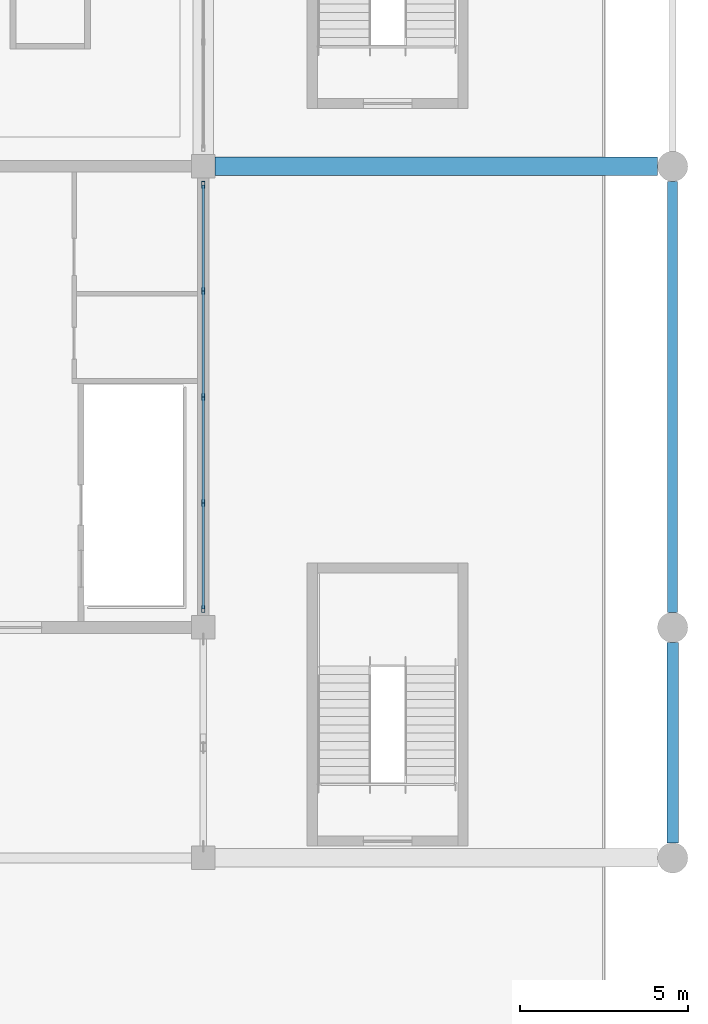
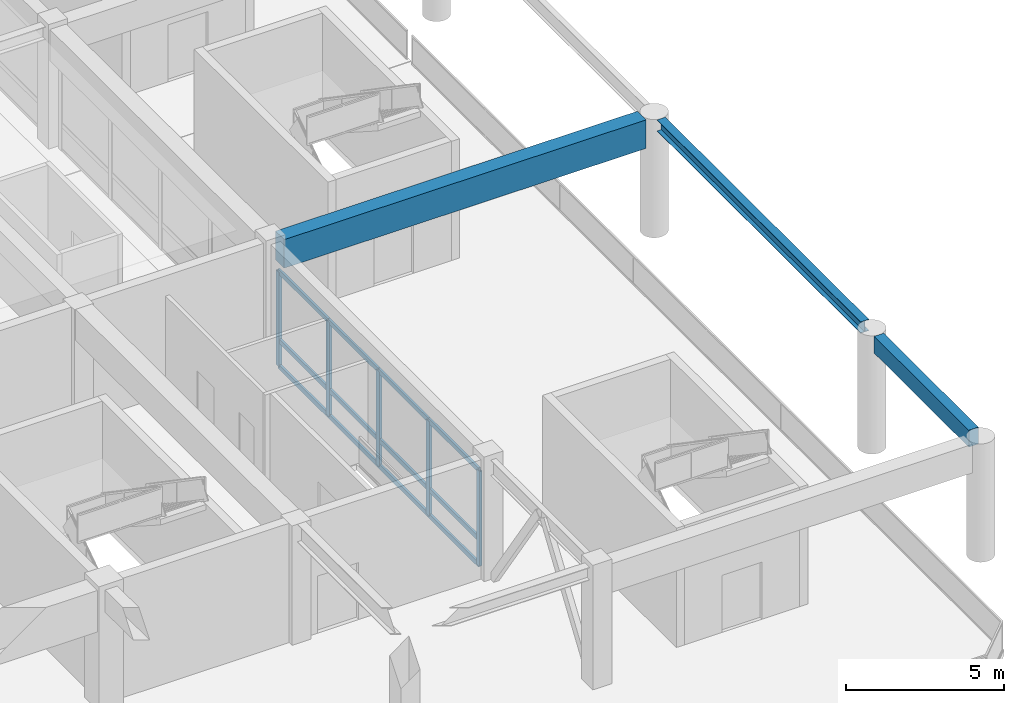
# One storey, part 33 of 94: 17 members, 3 beams, 1 element without a shape of its own.
"""IFC4 building model written with IfcOpenShell, lengths in metres."""

from ifc_helpers import new_model, si_unit, direction, frame, origin, origin_2d, place, context, subcontext, project, spatial, rectangle, hollow_rectangle, i_section, extrude, material, material_profile, profile_set, type_object, element, aggregate, save


model = new_model("IFC4")

# Units and contexts
model_context = context("Model", 3, precision=1e-05, world=origin(), true_north=direction((0.0, 1.0)))
body_context = subcontext(model_context, "Body", "Model", "MODEL_VIEW")
ifc_project = project(units=[si_unit("LENGTHUNIT", "METRE"), si_unit("AREAUNIT", "SQUARE_METRE"), si_unit("VOLUMEUNIT", "CUBIC_METRE"), si_unit("PLANEANGLEUNIT", "RADIAN"), si_unit("MASSUNIT", "GRAM", prefix="KILO")], contexts=[model_context])

# Site, building, storey
site_placement = place(None, origin())
site = spatial("IfcSite", under=ifc_project, at=site_placement, CompositionType="ELEMENT")
building_placement = place(site_placement, origin())
building = spatial("IfcBuilding", under=site, at=building_placement, Name="Linyun Crest Stadium", CompositionType="ELEMENT")
storey_placement = place(building_placement, frame((0.0, 0.0, 16.199951171875)))
storey = spatial("IfcBuildingStorey", under=building, at=storey_placement, Name="L04", CompositionType="ELEMENT", Elevation=16.199951171875)

# Beams
ifc_material_1 = material(Name="Concrete C40", Category="concrete")
ifc_material_profile_1 = material_profile(ifc_material_1, rectangle(XDim=0.35009765625, YDim=0.64990234375, at=origin_2d()), Name="RCB 650x350")
ifc_profile_set_1 = profile_set([ifc_material_profile_1], Name="Concrete C40")
beam_type_1 = type_object("IfcBeamType", Name="B02", PredefinedType="BEAM", material=ifc_profile_set_1)
beam_1_placement = place(storey_placement, frame((98.0, -45.550048828125, 4.235107421875), z_axis=(0.0, 1.0, 0.0), x_axis=(-1.0, 0.0, 0.0)))
element("IfcBeam", 1, at=beam_1_placement, inside=storey, type_object=beam_type_1, Name="Frame beam B02 L04 721", PredefinedType="BEAM", context=body_context, shape_type="SweptSolid", body=[
    extrude(rectangle(XDim=0.35009765625, YDim=0.64990234375, at=origin_2d()), origin(), (0.0, 0.0, 1.0), 5.97509765625),
])
ifc_material_2 = material(Name="Steel Q355C", Category="steel")
ifc_material_profile_2 = material_profile(ifc_material_2, i_section(OverallWidth=0.300048828125, OverallDepth=0.43994140625, WebThickness=0.010986328125, FlangeThickness=0.01806640625, at=origin_2d()), Name="HM 440x300")
ifc_profile_set_2 = profile_set([ifc_material_profile_2], Name="Steel Q355C")
beam_type_2 = type_object("IfcBeamType", Name="B07", PredefinedType="BEAM", material=ifc_profile_set_2)
beam_2_placement = place(storey_placement, frame((98.0, -38.675048828125, 4.340087890625), z_axis=(0.0, 1.0, 0.0), x_axis=(-1.0, 0.0, 0.0)))
element("IfcBeam", 2, at=beam_2_placement, inside=storey, type_object=beam_type_2, Name="Frame beam B07 L04 722", PredefinedType="BEAM", context=body_context, shape_type="SweptSolid", body=[
    extrude(i_section(OverallWidth=0.300048828125, OverallDepth=0.43994140625, WebThickness=0.010986328125, FlangeThickness=0.01806640625, at=origin_2d()), origin(), (0.0, 0.0, 1.0), 12.85009765625),
])

# Curtain wall, members
ifc_material_3 = material(Name="Verdigris steel and low-E curtain wall assembly", Category="steel")
curtain_wall_type = type_object("IfcCurtainWallType", Name="MCW06", PredefinedType="NOTDEFINED", material=ifc_material_3)
curtain_wall_placement = place(storey_placement, origin())
curtain_wall = element("IfcCurtainWall", 3, at=curtain_wall_placement, inside=storey, type_object=curtain_wall_type, Name="CWR-080", PredefinedType="NOTDEFINED")
ifc_material_4 = material(Name="Verdigris painted steel Q355C mullion", Category="steel")
ifc_material_profile_3 = material_profile(ifc_material_4, hollow_rectangle(XDim=0.10009765625, YDim=0.199951171875, WallThickness=0.008056640625, at=origin_2d()), Name="RHS 200x100x8")
ifc_profile_set_3 = profile_set([ifc_material_profile_3], Name="Verdigris painted steel Q355C mullion")
member_type_1 = type_object("IfcMemberType", Name="ML03", PredefinedType="MULLION", material=ifc_profile_set_3)
member_1_placement = place(storey_placement, frame((84.0, -38.574951171875, 0.0), z_axis=(0.0, 0.0, 1.0), x_axis=(-1.0, 0.0, 0.0)))
member_1 = element("IfcMember", 4, at=member_1_placement, type_object=member_type_1, Name="CWR-080 mullion 1", PredefinedType="MULLION", context=body_context, shape_type="SweptSolid", body=[
    extrude(hollow_rectangle(XDim=0.10009765625, YDim=0.199951171875, WallThickness=0.008056640625, at=origin_2d()), origin(), (0.0, 0.0, 1.0), 3.650146484375),
])
member_2_placement = place(storey_placement, frame((84.0, -35.412109375, 0.0), z_axis=(0.0, 0.0, 1.0), x_axis=(-1.0, 0.0, 0.0)))
member_2 = element("IfcMember", 5, at=member_2_placement, type_object=member_type_1, Name="CWR-080 mullion 2", PredefinedType="MULLION", context=body_context, shape_type="SweptSolid", body=[
    extrude(hollow_rectangle(XDim=0.10009765625, YDim=0.199951171875, WallThickness=0.008056640625, at=origin_2d()), origin(), (0.0, 0.0, 1.0), 3.650146484375),
])
member_3_placement = place(storey_placement, frame((84.0, -32.25, 0.0), z_axis=(0.0, 0.0, 1.0), x_axis=(-1.0, 0.0, 0.0)))
member_3 = element("IfcMember", 6, at=member_3_placement, type_object=member_type_1, Name="CWR-080 mullion 3", PredefinedType="MULLION", context=body_context, shape_type="SweptSolid", body=[
    extrude(hollow_rectangle(XDim=0.10009765625, YDim=0.199951171875, WallThickness=0.008056640625, at=origin_2d()), origin(), (0.0, 0.0, 1.0), 3.650146484375),
])
member_4_placement = place(storey_placement, frame((84.0, -29.087890625, 0.0), z_axis=(0.0, 0.0, 1.0), x_axis=(-1.0, 0.0, 0.0)))
member_4 = element("IfcMember", 7, at=member_4_placement, type_object=member_type_1, Name="CWR-080 mullion 4", PredefinedType="MULLION", context=body_context, shape_type="SweptSolid", body=[
    extrude(hollow_rectangle(XDim=0.10009765625, YDim=0.199951171875, WallThickness=0.008056640625, at=origin_2d()), origin(), (0.0, 0.0, 1.0), 3.650146484375),
])
member_5_placement = place(storey_placement, frame((84.0, -25.925048828125, 0.0), z_axis=(0.0, 0.0, 1.0), x_axis=(-1.0, 0.0, 0.0)))
member_5 = element("IfcMember", 8, at=member_5_placement, type_object=member_type_1, Name="CWR-080 mullion 5", PredefinedType="MULLION", context=body_context, shape_type="SweptSolid", body=[
    extrude(hollow_rectangle(XDim=0.10009765625, YDim=0.199951171875, WallThickness=0.008056640625, at=origin_2d()), origin(), (0.0, 0.0, 1.0), 3.650146484375),
])

# Beam
ifc_material_5 = material(Name="Concrete C50", Category="concrete")
ifc_material_profile_4 = material_profile(ifc_material_5, rectangle(XDim=0.550048828125, YDim=1.10009765625, at=origin_2d()), Name="RCB 1100x550")
ifc_profile_set_4 = profile_set([ifc_material_profile_4], Name="Concrete C50")
beam_type_3 = type_object("IfcBeamType", Name="TB01", PredefinedType="USERDEFINED", material=ifc_profile_set_4)
beam_3_placement = place(storey_placement, frame((84.35009765625, -25.375, 4.010009765625), z_axis=(1.0, 0.0, 0.0), x_axis=(0.0, 1.0, 0.0)))
element("IfcBeam", 9, at=beam_3_placement, inside=storey, type_object=beam_type_3, Name="Frame beam TB01 L04 684", ObjectType="GIRDER", PredefinedType="USERDEFINED", context=body_context, shape_type="SweptSolid", body=[
    extrude(rectangle(XDim=0.550048828125, YDim=1.10009765625, at=origin_2d()), origin(), (0.0, 0.0, 1.0), 13.199951171875),
])

# Member
ifc_material_6 = material(Name="Verdigris painted steel Q355B transom", Category="steel")
ifc_material_profile_5 = material_profile(ifc_material_6, hollow_rectangle(XDim=0.080078125, YDim=0.179931640625, WallThickness=0.006103515625, at=origin_2d()), Name="RHS 180x80x6")
ifc_profile_set_5 = profile_set([ifc_material_profile_5], Name="Verdigris painted steel Q355B transom")
member_type_2 = type_object("IfcMemberType", Name="TR02", PredefinedType="USERDEFINED", material=ifc_profile_set_5)
member_6_placement = place(storey_placement, frame((84.0, -38.574951171875, 0.0), z_axis=(0.0, 1.0, 0.0), x_axis=(-1.0, 0.0, 0.0)))
member_6 = element("IfcMember", 10, at=member_6_placement, type_object=member_type_2, Name="CWR-080 transom 1.1", ObjectType="TRANSOM", PredefinedType="USERDEFINED", context=body_context, shape_type="SweptSolid", body=[
    extrude(hollow_rectangle(XDim=0.080078125, YDim=0.179931640625, WallThickness=0.006103515625, at=origin_2d()), origin(), (0.0, 0.0, 1.0), 3.162841796875),
])

member_7_placement = place(storey_placement, frame((84.0, -38.574951171875, 1.0), z_axis=(0.0, 1.0, 0.0), x_axis=(-1.0, 0.0, 0.0)))
member_7 = element("IfcMember", 11, at=member_7_placement, type_object=member_type_2, Name="CWR-080 transom 1.2", ObjectType="TRANSOM", PredefinedType="USERDEFINED", context=body_context, shape_type="SweptSolid", body=[
    extrude(hollow_rectangle(XDim=0.080078125, YDim=0.179931640625, WallThickness=0.006103515625, at=origin_2d()), origin(), (0.0, 0.0, 1.0), 3.162841796875),
])

member_8_placement = place(storey_placement, frame((84.0, -38.574951171875, 3.650146484375), z_axis=(0.0, 1.0, 0.0), x_axis=(-1.0, 0.0, 0.0)))
member_8 = element("IfcMember", 12, at=member_8_placement, type_object=member_type_2, Name="CWR-080 transom 1.3", ObjectType="TRANSOM", PredefinedType="USERDEFINED", context=body_context, shape_type="SweptSolid", body=[
    extrude(hollow_rectangle(XDim=0.080078125, YDim=0.179931640625, WallThickness=0.006103515625, at=origin_2d()), origin(), (0.0, 0.0, 1.0), 3.162841796875),
])

member_9_placement = place(storey_placement, frame((84.0, -35.412109375, 0.0), z_axis=(0.0, 1.0, 0.0), x_axis=(-1.0, 0.0, 0.0)))
member_9 = element("IfcMember", 13, at=member_9_placement, type_object=member_type_2, Name="CWR-080 transom 2.1", ObjectType="TRANSOM", PredefinedType="USERDEFINED", context=body_context, shape_type="SweptSolid", body=[
    extrude(hollow_rectangle(XDim=0.080078125, YDim=0.179931640625, WallThickness=0.006103515625, at=origin_2d()), origin(), (0.0, 0.0, 1.0), 3.162109375),
])

member_10_placement = place(storey_placement, frame((84.0, -35.412109375, 1.0), z_axis=(0.0, 1.0, 0.0), x_axis=(-1.0, 0.0, 0.0)))
member_10 = element("IfcMember", 14, at=member_10_placement, type_object=member_type_2, Name="CWR-080 transom 2.2", ObjectType="TRANSOM", PredefinedType="USERDEFINED", context=body_context, shape_type="SweptSolid", body=[
    extrude(hollow_rectangle(XDim=0.080078125, YDim=0.179931640625, WallThickness=0.006103515625, at=origin_2d()), origin(), (0.0, 0.0, 1.0), 3.162109375),
])

member_11_placement = place(storey_placement, frame((84.0, -35.412109375, 3.650146484375), z_axis=(0.0, 1.0, 0.0), x_axis=(-1.0, 0.0, 0.0)))
member_11 = element("IfcMember", 15, at=member_11_placement, type_object=member_type_2, Name="CWR-080 transom 2.3", ObjectType="TRANSOM", PredefinedType="USERDEFINED", context=body_context, shape_type="SweptSolid", body=[
    extrude(hollow_rectangle(XDim=0.080078125, YDim=0.179931640625, WallThickness=0.006103515625, at=origin_2d()), origin(), (0.0, 0.0, 1.0), 3.162109375),
])

member_12_placement = place(storey_placement, frame((84.0, -32.25, 0.0), z_axis=(0.0, 1.0, 0.0), x_axis=(-1.0, 0.0, 0.0)))
member_12 = element("IfcMember", 16, at=member_12_placement, type_object=member_type_2, Name="CWR-080 transom 3.1", ObjectType="TRANSOM", PredefinedType="USERDEFINED", context=body_context, shape_type="SweptSolid", body=[
    extrude(hollow_rectangle(XDim=0.080078125, YDim=0.179931640625, WallThickness=0.006103515625, at=origin_2d()), origin(), (0.0, 0.0, 1.0), 3.162109375),
])

member_13_placement = place(storey_placement, frame((84.0, -32.25, 1.0), z_axis=(0.0, 1.0, 0.0), x_axis=(-1.0, 0.0, 0.0)))
member_13 = element("IfcMember", 17, at=member_13_placement, type_object=member_type_2, Name="CWR-080 transom 3.2", ObjectType="TRANSOM", PredefinedType="USERDEFINED", context=body_context, shape_type="SweptSolid", body=[
    extrude(hollow_rectangle(XDim=0.080078125, YDim=0.179931640625, WallThickness=0.006103515625, at=origin_2d()), origin(), (0.0, 0.0, 1.0), 3.162109375),
])

member_14_placement = place(storey_placement, frame((84.0, -32.25, 3.650146484375), z_axis=(0.0, 1.0, 0.0), x_axis=(-1.0, 0.0, 0.0)))
member_14 = element("IfcMember", 18, at=member_14_placement, type_object=member_type_2, Name="CWR-080 transom 3.3", ObjectType="TRANSOM", PredefinedType="USERDEFINED", context=body_context, shape_type="SweptSolid", body=[
    extrude(hollow_rectangle(XDim=0.080078125, YDim=0.179931640625, WallThickness=0.006103515625, at=origin_2d()), origin(), (0.0, 0.0, 1.0), 3.162109375),
])

member_15_placement = place(storey_placement, frame((84.0, -29.087890625, 0.0), z_axis=(0.0, 1.0, 0.0), x_axis=(-1.0, 0.0, 0.0)))
member_15 = element("IfcMember", 19, at=member_15_placement, type_object=member_type_2, Name="CWR-080 transom 4.1", ObjectType="TRANSOM", PredefinedType="USERDEFINED", context=body_context, shape_type="SweptSolid", body=[
    extrude(hollow_rectangle(XDim=0.080078125, YDim=0.179931640625, WallThickness=0.006103515625, at=origin_2d()), origin(), (0.0, 0.0, 1.0), 3.162841796875),
])

member_16_placement = place(storey_placement, frame((84.0, -29.087890625, 1.0), z_axis=(0.0, 1.0, 0.0), x_axis=(-1.0, 0.0, 0.0)))
member_16 = element("IfcMember", 20, at=member_16_placement, type_object=member_type_2, Name="CWR-080 transom 4.2", ObjectType="TRANSOM", PredefinedType="USERDEFINED", context=body_context, shape_type="SweptSolid", body=[
    extrude(hollow_rectangle(XDim=0.080078125, YDim=0.179931640625, WallThickness=0.006103515625, at=origin_2d()), origin(), (0.0, 0.0, 1.0), 3.162841796875),
])

member_17_placement = place(storey_placement, frame((84.0, -29.087890625, 3.650146484375), z_axis=(0.0, 1.0, 0.0), x_axis=(-1.0, 0.0, 0.0)))
member_17 = element("IfcMember", 21, at=member_17_placement, type_object=member_type_2, Name="CWR-080 transom 4.3", ObjectType="TRANSOM", PredefinedType="USERDEFINED", context=body_context, shape_type="SweptSolid", body=[
    extrude(hollow_rectangle(XDim=0.080078125, YDim=0.179931640625, WallThickness=0.006103515625, at=origin_2d()), origin(), (0.0, 0.0, 1.0), 3.162841796875),
])

aggregate(curtain_wall, [member_1, member_2, member_3, member_4, member_5, member_6, member_7, member_8, member_9, member_10, member_11, member_12, member_13, member_14, member_15, member_16, member_17])

save(model, "model.ifc")
